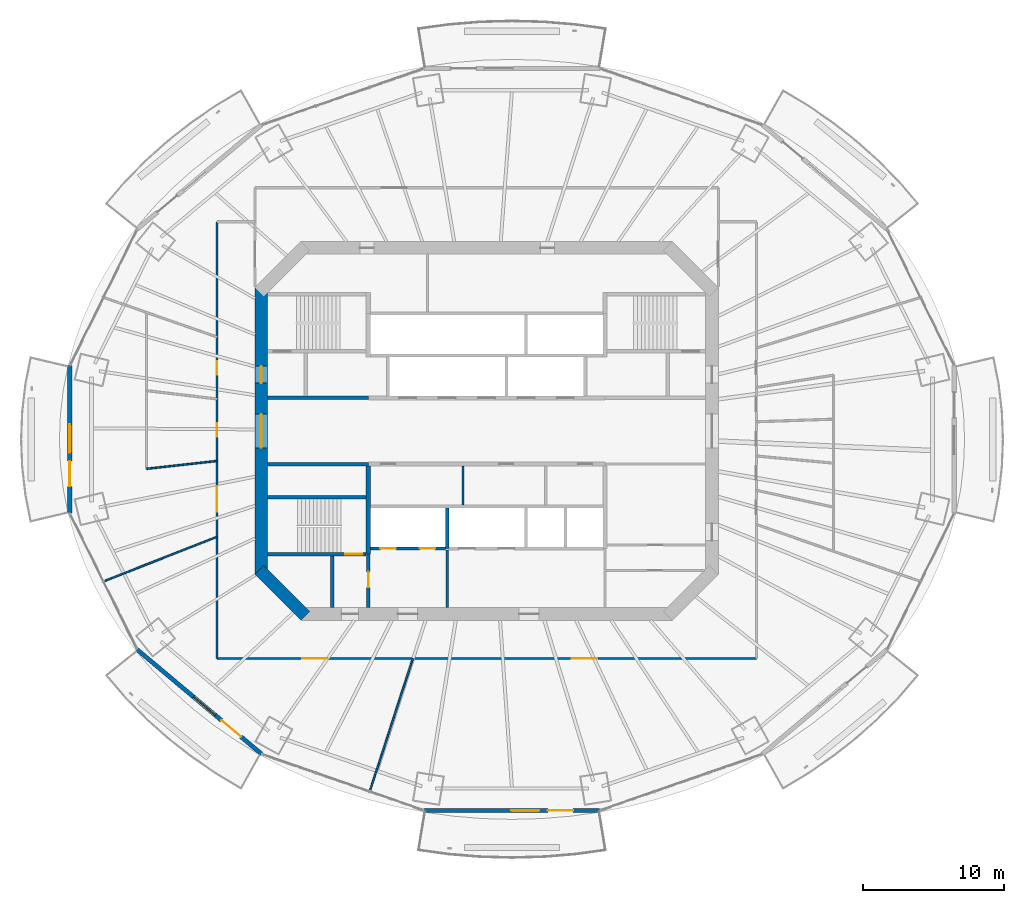
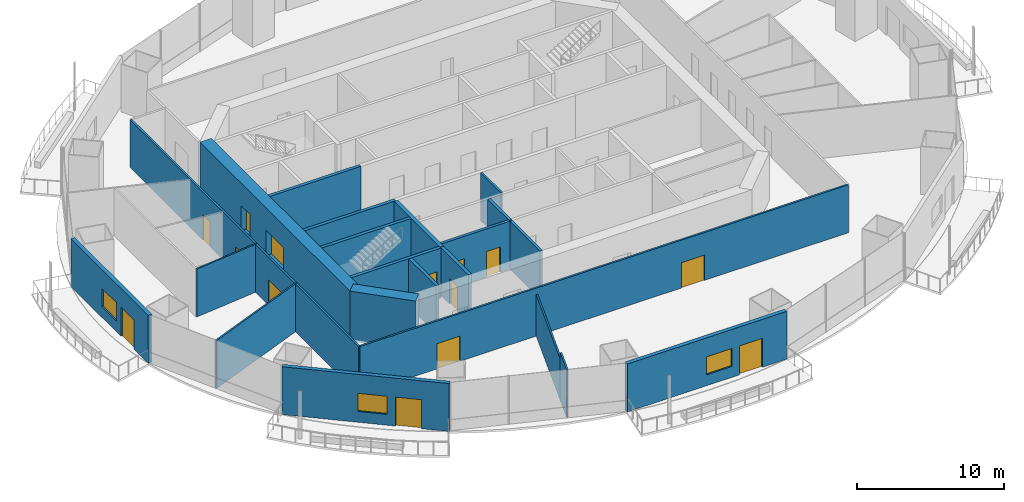
# One storey, part 11 of 20: 22 walls, 14 doors, 3 windows, 17 openings.
"""IFC4 building model written with IfcOpenShell, lengths in metres."""

from ifc_helpers import new_model, si_unit, direction, frame, frame_2d, origin, place, context, subcontext, project, spatial, rectangle, extrude, material, layer, layer_set, type_object, element, fill, save


model = new_model("IFC4")

# Units and contexts
model_context = context("Model", 3, precision=1e-05, world=origin(), true_north=direction((0.0, 1.0)))
body_context = subcontext(model_context, "Body", "Model", "MODEL_VIEW")
ifc_project = project(units=[si_unit("LENGTHUNIT", "METRE"), si_unit("AREAUNIT", "SQUARE_METRE"), si_unit("VOLUMEUNIT", "CUBIC_METRE"), si_unit("PLANEANGLEUNIT", "RADIAN"), si_unit("MASSUNIT", "GRAM", prefix="KILO")], contexts=[model_context])

# Site, building, storey
site_placement = place(None, origin())
site = spatial("IfcSite", under=ifc_project, at=site_placement, CompositionType="ELEMENT")
building_placement = place(site_placement, origin())
building = spatial("IfcBuilding", under=site, at=building_placement, Name="Marenthal Gate Tower", CompositionType="ELEMENT")
storey_placement = place(building_placement, frame((0.0, 0.0, 194.25)))
storey = spatial("IfcBuildingStorey", under=building, at=storey_placement, Name="L42", CompositionType="ELEMENT", Elevation=194.25)

# Wall, openings, doors
ifc_material_1 = material(Name="Concrete 60 MPa", Category="concrete")
ifc_layer_1 = layer(ifc_material_1, 0.89990234375)
ifc_layer_set_1 = layer_set([ifc_layer_1], Name="Core shear wall 900")
wall_type_1 = type_object("IfcWallType", Name="Core shear wall 900", PredefinedType="SHEAR", material=ifc_layer_set_1)
wall_1_placement = place(storey_placement, frame((-16.0, 10.186279296875, -0.179931640625), z_axis=(0.0, 0.0, 1.0), x_axis=(0.0, -1.0, 0.0)))
wall_1 = element("IfcWall", 1, at=wall_1_placement, inside=storey, type_object=wall_type_1, Name="Core wall 06", PredefinedType="SHEAR", context=body_context, shape_type="SweptSolid", body=[
    extrude(rectangle(XDim=20.37255859375, YDim=0.89990234375, at=frame_2d((10.186279296875, 0.0))), origin(), (0.0, 0.0, 1.0), 4.14990234375),
])
opening_1_placement = place(wall_1_placement, frame((8.986328125, 0.0, 0.179931640625)))
opening_1 = element("IfcOpeningElement", 2, at=opening_1_placement, cuts=wall_1, Name="Opening D003.01", PredefinedType="OPENING", context=body_context, shape_type="SweptSolid", body=[
    extrude(rectangle(XDim=2.39990234375, YDim=2.10009765625, at=frame_2d((1.199951171875, 1.050048828125))), frame((0.0, 0.4599609375, 0.0), z_axis=(0.0, -1.0, 0.0), x_axis=(1.0, 0.0, 0.0)), (0.0, 0.0, 1.0), 0.919921875),
])
opening_2_placement = place(wall_1_placement, frame((5.58642578125, 0.0, 0.179931640625)))
opening_2 = element("IfcOpeningElement", 3, at=opening_2_placement, cuts=wall_1, Name="Opening D001.04", PredefinedType="OPENING", context=body_context, shape_type="SweptSolid", body=[
    extrude(rectangle(XDim=1.199951171875, YDim=2.10009765625, at=frame_2d((0.60009765625, 1.050048828125))), frame((0.0, 0.4599609375, 0.0), z_axis=(0.0, -1.0, 0.0), x_axis=(1.0, 0.0, 0.0)), (0.0, 0.0, 1.0), 0.919921875),
])
ifc_material_2 = material(Name="Steel fire door", Category="steel")
door_type_1 = type_object("IfcDoorType", Name="Double fire door FD 45 2400 x 2100", OperationType="DOUBLE_DOOR_SINGLE_SWING", PredefinedType="DOOR", material=ifc_material_2)
door_1_placement = place(opening_1_placement, origin())
door_1 = element("IfcDoor", 4, at=door_1_placement, inside=storey, type_object=door_type_1, Name="Door D003.01", OperationType="DOUBLE_DOOR_SINGLE_SWING", OverallHeight=2.10009765625, OverallWidth=2.39990234375, PredefinedType="DOOR", context=body_context, shape_type="SweptSolid", body=[
    extrude(rectangle(XDim=2.39990234375, YDim=2.10009765625, at=frame_2d((1.199951171875, 1.050048828125))), frame((0.0, 0.02490234375, 0.0), z_axis=(0.0, -1.0, 0.0), x_axis=(1.0, 0.0, 0.0)), (0.0, 0.0, 1.0), 0.050048828125),
])
fill(opening_1, door_1)
ifc_material_3 = material(Name="Steel fire door", Category="steel")
door_type_2 = type_object("IfcDoorType", Name="Fire door FD 90 1200 x 2100", OperationType="NOTDEFINED", PredefinedType="DOOR", material=ifc_material_3)
door_2_placement = place(opening_2_placement, origin())
door_2 = element("IfcDoor", 5, at=door_2_placement, inside=storey, type_object=door_type_2, Name="Door D001.04", OperationType="SINGLE_SWING_RIGHT", OverallHeight=2.10009765625, OverallWidth=1.199951171875, PredefinedType="DOOR", context=body_context, shape_type="SweptSolid", body=[
    extrude(rectangle(XDim=1.199951171875, YDim=2.10009765625, at=frame_2d((0.60009765625, 1.050048828125))), frame((0.0, 0.02490234375, 0.0), z_axis=(0.0, -1.0, 0.0), x_axis=(1.0, 0.0, 0.0)), (0.0, 0.0, 1.0), 0.050048828125),
])
fill(opening_2, door_2)

# Walls
wall_2_placement = place(storey_placement, frame((-16.1318359375, -9.8681640625, -0.179931640625), z_axis=(0.0, 0.0, 1.0), x_axis=(0.707106781187, -0.707106781187, 0.0)))
element("IfcWall", 6, at=wall_2_placement, inside=storey, type_object=wall_type_1, Name="Core wall 07", PredefinedType="SHEAR", context=body_context, shape_type="SweptSolid", body=[
    extrude(rectangle(XDim=4.615478515625, YDim=0.89990234375, at=frame_2d((2.3076171875, 0.0))), origin(), (0.0, 0.0, 1.0), 4.14990234375),
])
ifc_material_4 = material(Name="Gypsum board on steel studs", Category="steel")
ifc_layer_2 = layer(ifc_material_4, 0.199951171875)
ifc_layer_set_2 = layer_set([ifc_layer_2], Name="Fire lobby wall 200")
wall_type_2 = type_object("IfcWallType", Name="Fire lobby wall 200", PredefinedType="PARTITIONING", material=ifc_layer_set_2)
wall_3_placement = place(storey_placement, frame((-2.800048828125, -12.550048828125, 0.0), z_axis=(0.0, 0.0, 1.0), x_axis=(0.0, 1.0, 0.0)))
element("IfcWall", 7, at=wall_3_placement, inside=storey, type_object=wall_type_2, Name="Fire wall 36", PredefinedType="PARTITIONING", context=body_context, shape_type="SweptSolid", body=[
    extrude(rectangle(XDim=4.090087890625, YDim=0.199951171875, at=frame_2d((2.044921875, 0.0))), origin(), (0.0, 0.0, 1.0), 3.969970703125),
])
ifc_material_5 = material(Name="Concrete 50 MPa", Category="concrete")
ifc_layer_3 = layer(ifc_material_5, 0.300048828125)
ifc_layer_set_3 = layer_set([ifc_layer_3], Name="Hoistway shear wall 300")
wall_type_3 = type_object("IfcWallType", Name="Hoistway shear wall 300", PredefinedType="SHEAR", material=ifc_layer_set_3)
wall_4_placement = place(storey_placement, frame((-8.39990234375, -8.75, -0.179931640625), z_axis=(0.0, 0.0, 1.0), x_axis=(0.0, 1.0, 0.0)))
element("IfcWall", 8, at=wall_4_placement, inside=storey, type_object=wall_type_3, Name="Hoistway wall 31", PredefinedType="SHEAR", context=body_context, shape_type="SweptSolid", body=[
    extrude(rectangle(XDim=6.25, YDim=0.300048828125, at=frame_2d((3.125, 0.0))), origin(), (0.0, 0.0, 1.0), 4.14990234375),
])

# Wall, openings, doors
ifc_material_6 = material(Name="Concrete 40 MPa", Category="concrete")
ifc_layer_4 = layer(ifc_material_6, 0.219970703125)
ifc_layer_set_4 = layer_set([ifc_layer_4], Name="Hoistway wall 220")
wall_type_4 = type_object("IfcWallType", Name="Hoistway wall 220", PredefinedType="STANDARD", material=ifc_layer_set_4)
wall_5_placement = place(storey_placement, frame((-8.25, -8.35009765625, 0.0), z_axis=(0.0, 0.0, 1.0), x_axis=(1.0, 0.0, 0.0)))
wall_5 = element("IfcWall", 9, at=wall_5_placement, inside=storey, type_object=wall_type_4, Name="Hoistway wall 11", PredefinedType="STANDARD", context=body_context, shape_type="SweptSolid", body=[
    extrude(rectangle(XDim=5.340087890625, YDim=0.219970703125, at=frame_2d((2.669921875, 0.0))), origin(), (0.0, 0.0, 1.0), 3.969970703125),
])
opening_3_placement = place(wall_5_placement, frame((0.699951171875, 0.0, 0.0)))
opening_3 = element("IfcOpeningElement", 10, at=opening_3_placement, cuts=wall_5, Name="Opening LD-LF1", PredefinedType="OPENING", context=body_context, shape_type="SweptSolid", body=[
    extrude(rectangle(XDim=1.10009765625, YDim=2.10009765625, at=frame_2d((0.550048828125, 1.050048828125))), frame((0.0, 0.1201171875, 0.0), z_axis=(0.0, -1.0, 0.0), x_axis=(1.0, 0.0, 0.0)), (0.0, 0.0, 1.0), 0.239990234375),
])
opening_4_placement = place(wall_5_placement, frame((3.5, 0.0, 0.0)))
opening_4 = element("IfcOpeningElement", 11, at=opening_4_placement, cuts=wall_5, Name="Opening LD-LF2", PredefinedType="OPENING", context=body_context, shape_type="SweptSolid", body=[
    extrude(rectangle(XDim=1.10009765625, YDim=2.10009765625, at=frame_2d((0.550048828125, 1.050048828125))), frame((0.0, 0.1201171875, 0.0), z_axis=(0.0, -1.0, 0.0), x_axis=(1.0, 0.0, 0.0)), (0.0, 0.0, 1.0), 0.239990234375),
])
ifc_material_7 = material(Name="Stainless steel sliding door", Category="steel")
door_type_3 = type_object("IfcDoorType", Name="Lift landing door FD 90 1100 x 2100", OperationType="DOUBLE_DOOR_SLIDING", PredefinedType="DOOR", material=ifc_material_7)
door_3_placement = place(opening_3_placement, origin())
door_3 = element("IfcDoor", 12, at=door_3_placement, inside=storey, type_object=door_type_3, Name="Lift landing door LF1", OperationType="DOUBLE_DOOR_SLIDING", OverallHeight=2.10009765625, OverallWidth=1.10009765625, PredefinedType="DOOR", context=body_context, shape_type="SweptSolid", body=[
    extrude(rectangle(XDim=1.10009765625, YDim=2.10009765625, at=frame_2d((0.550048828125, 1.050048828125))), frame((0.0, 0.02490234375, 0.0), z_axis=(0.0, -1.0, 0.0), x_axis=(1.0, 0.0, 0.0)), (0.0, 0.0, 1.0), 0.050048828125),
])
fill(opening_3, door_3)
door_4_placement = place(opening_4_placement, origin())
door_4 = element("IfcDoor", 13, at=door_4_placement, inside=storey, type_object=door_type_3, Name="Lift landing door LF2", OperationType="DOUBLE_DOOR_SLIDING", OverallHeight=2.10009765625, OverallWidth=1.10009765625, PredefinedType="DOOR", context=body_context, shape_type="SweptSolid", body=[
    extrude(rectangle(XDim=1.10009765625, YDim=2.10009765625, at=frame_2d((0.550048828125, 1.050048828125))), frame((0.0, 0.02490234375, 0.0), z_axis=(0.0, -1.0, 0.0), x_axis=(1.0, 0.0, 0.0)), (0.0, 0.0, 1.0), 0.050048828125),
])
fill(opening_4, door_4)

# Walls
wall_6_placement = place(storey_placement, frame((-2.800048828125, -8.35009765625, 0.0), z_axis=(0.0, 0.0, 1.0), x_axis=(0.0, 1.0, 0.0)))
element("IfcWall", 14, at=wall_6_placement, inside=storey, type_object=wall_type_4, Name="Hoistway wall 37", PredefinedType="STANDARD", context=body_context, shape_type="SweptSolid", body=[
    extrude(rectangle(XDim=2.89013671875, YDim=0.219970703125, at=frame_2d((1.445068359375, 0.0))), origin(), (0.0, 0.0, 1.0), 3.969970703125),
])
ifc_material_8 = material(Name="Gypsum board on steel studs", Category="steel")
ifc_layer_5 = layer(ifc_material_8, 0.1201171875)
ifc_layer_set_5 = layer_set([ifc_layer_5], Name="Partition 120")
wall_type_5 = type_object("IfcWallType", Name="Partition 120", PredefinedType="PARTITIONING", material=ifc_layer_set_5)
wall_7_placement = place(storey_placement, frame((-24.14697265625, -2.6865234375, 0.0), z_axis=(0.0, 0.0, 1.0), x_axis=(0.993868921716, 0.110564761322, 0.0)))
element("IfcWall", 15, at=wall_7_placement, inside=storey, type_object=wall_type_5, Name="Partition wall 50", PredefinedType="PARTITIONING", context=body_context, shape_type="SweptSolid", body=[
    extrude(rectangle(XDim=5.02783203125, YDim=0.1201171875, at=frame_2d((2.513916015625, 0.0))), origin(), (0.0, 0.0, 1.0), 3.969970703125),
])
wall_8_placement = place(storey_placement, frame((-19.14990234375, -7.517822265625, 0.0), z_axis=(0.0, 0.0, 1.0), x_axis=(-0.930851190322, -0.365398496816, 0.0)))
element("IfcWall", 16, at=wall_8_placement, inside=storey, type_object=wall_type_5, Name="Partition wall 54", PredefinedType="PARTITIONING", context=body_context, shape_type="SweptSolid", body=[
    extrude(rectangle(XDim=8.658447265625, YDim=0.1201171875, at=frame_2d((4.3291015625, 0.0))), origin(), (0.0, 0.0, 1.0), 3.969970703125),
])
wall_9_placement = place(storey_placement, frame((-5.236572265625, -16.14990234375, 0.0), z_axis=(0.0, 0.0, 1.0), x_axis=(-0.308434458962, -0.951245596324, 0.0)))
element("IfcWall", 17, at=wall_9_placement, inside=storey, type_object=wall_type_5, Name="Partition wall 59", PredefinedType="PARTITIONING", context=body_context, shape_type="SweptSolid", body=[
    extrude(rectangle(XDim=7.9052734375, YDim=0.1201171875, at=frame_2d((3.95263671875, 0.0))), origin(), (0.0, 0.0, 1.0), 3.43408203125),
])
wall_10_placement = place(storey_placement, frame((-7.6748046875, -23.669677734375, 0.0), z_axis=(0.0, 0.0, 1.0), x_axis=(-0.308331524529, -0.951278965909, 0.0)))
element("IfcWall", 18, at=wall_10_placement, inside=storey, type_object=wall_type_5, Name="Partition wall 71", PredefinedType="PARTITIONING", context=body_context, shape_type="SweptSolid", body=[
    extrude(rectangle(XDim=2.0341796875, YDim=0.1201171875, at=frame_2d((1.01708984375, 0.0))), origin(), (0.0, 0.0, 1.0), 3.969970703125),
])
ifc_material_9 = material(Name="Gypsum board on steel studs", Category="steel")
ifc_layer_6 = layer(ifc_material_9, 0.14990234375)
ifc_layer_set_6 = layer_set([ifc_layer_6], Name="Partition 150")
wall_type_6 = type_object("IfcWallType", Name="Partition 150", PredefinedType="PARTITIONING", material=ifc_layer_set_6)
wall_11_placement = place(storey_placement, frame((-1.679931640625, -5.239990234375, 0.0), z_axis=(0.0, 0.0, 1.0), x_axis=(0.0, 1.0, 0.0)))
element("IfcWall", 19, at=wall_11_placement, inside=storey, type_object=wall_type_6, Name="Partition wall 38", PredefinedType="PARTITIONING", context=body_context, shape_type="SweptSolid", body=[
    extrude(rectangle(XDim=2.739990234375, YDim=0.14990234375, at=frame_2d((1.3701171875, 0.0))), origin(), (0.0, 0.0, 1.0), 3.969970703125),
])

# Wall, openings, doors
wall_12_placement = place(storey_placement, frame((-19.14990234375, -16.14990234375, 0.0), z_axis=(0.0, 0.0, 1.0), x_axis=(0.0, 1.0, 0.0)))
wall_12 = element("IfcWall", 20, at=wall_12_placement, inside=storey, type_object=wall_type_6, Name="Partition wall 53", PredefinedType="PARTITIONING", context=body_context, shape_type="SweptSolid", body=[
    extrude(rectangle(XDim=31.003662109375, YDim=0.14990234375, at=frame_2d((15.501953125, 0.0))), origin(), (0.0, 0.0, 1.0), 3.969970703125),
])
opening_5_placement = place(wall_12_placement, frame((20.14697265625, 0.0, 0.0)))
opening_5 = element("IfcOpeningElement", 21, at=opening_5_placement, cuts=wall_12, Name="Opening D016.01", PredefinedType="OPENING", context=body_context, shape_type="SweptSolid", body=[
    extrude(rectangle(XDim=0.949951171875, YDim=2.10009765625, at=frame_2d((0.47509765625, 1.050048828125))), frame((0.0, 0.0849609375, 0.0), z_axis=(0.0, -1.0, 0.0), x_axis=(1.0, 0.0, 0.0)), (0.0, 0.0, 1.0), 0.169921875),
])
opening_6_placement = place(wall_12_placement, frame((15.7451171875, 0.0, 0.0)))
opening_6 = element("IfcOpeningElement", 22, at=opening_6_placement, cuts=wall_12, Name="Opening D016.02", PredefinedType="OPENING", context=body_context, shape_type="SweptSolid", body=[
    extrude(rectangle(XDim=0.949951171875, YDim=2.10009765625, at=frame_2d((0.47509765625, 1.050048828125))), frame((0.0, 0.0849609375, 0.0), z_axis=(0.0, -1.0, 0.0), x_axis=(1.0, 0.0, 0.0)), (0.0, 0.0, 1.0), 0.169921875),
])
opening_7_placement = place(wall_12_placement, frame((10.425048828125, 0.0, 0.0)))
opening_7 = element("IfcOpeningElement", 23, at=opening_7_placement, cuts=wall_12, Name="Opening D014.02", PredefinedType="OPENING", context=body_context, shape_type="SweptSolid", body=[
    extrude(rectangle(XDim=1.800048828125, YDim=2.10009765625, at=frame_2d((0.89990234375, 1.050048828125))), frame((0.0, 0.0849609375, 0.0), z_axis=(0.0, -1.0, 0.0), x_axis=(1.0, 0.0, 0.0)), (0.0, 0.0, 1.0), 0.169921875),
])
ifc_material_10 = material(Name="Timber door", Category="wood")
door_type_4 = type_object("IfcDoorType", Name="Door 950 x 2100", OperationType="NOTDEFINED", PredefinedType="DOOR", material=ifc_material_10)
door_5_placement = place(opening_5_placement, origin())
door_5 = element("IfcDoor", 24, at=door_5_placement, inside=storey, type_object=door_type_4, Name="Door D016.01", OperationType="SINGLE_SWING_RIGHT", OverallHeight=2.10009765625, OverallWidth=0.949951171875, PredefinedType="DOOR", context=body_context, shape_type="SweptSolid", body=[
    extrude(rectangle(XDim=0.949951171875, YDim=2.10009765625, at=frame_2d((0.47509765625, 1.050048828125))), frame((0.0, 0.02490234375, 0.0), z_axis=(0.0, -1.0, 0.0), x_axis=(1.0, 0.0, 0.0)), (0.0, 0.0, 1.0), 0.050048828125),
])
fill(opening_5, door_5)
door_6_placement = place(opening_6_placement, origin())
door_6 = element("IfcDoor", 25, at=door_6_placement, inside=storey, type_object=door_type_4, Name="Door D016.02", OperationType="SINGLE_SWING_RIGHT", OverallHeight=2.10009765625, OverallWidth=0.949951171875, PredefinedType="DOOR", context=body_context, shape_type="SweptSolid", body=[
    extrude(rectangle(XDim=0.949951171875, YDim=2.10009765625, at=frame_2d((0.47509765625, 1.050048828125))), frame((0.0, 0.02490234375, 0.0), z_axis=(0.0, -1.0, 0.0), x_axis=(1.0, 0.0, 0.0)), (0.0, 0.0, 1.0), 0.050048828125),
])
fill(opening_6, door_6)
ifc_material_11 = material(Name="Timber door", Category="wood")
door_type_5 = type_object("IfcDoorType", Name="Double door 1800 x 2100", OperationType="DOUBLE_DOOR_SINGLE_SWING", PredefinedType="DOOR", material=ifc_material_11)
door_7_placement = place(opening_7_placement, origin())
door_7 = element("IfcDoor", 26, at=door_7_placement, inside=storey, type_object=door_type_5, Name="Door D014.02", OperationType="DOUBLE_DOOR_SINGLE_SWING", OverallHeight=2.10009765625, OverallWidth=1.800048828125, PredefinedType="DOOR", context=body_context, shape_type="SweptSolid", body=[
    extrude(rectangle(XDim=1.800048828125, YDim=2.10009765625, at=frame_2d((0.89990234375, 1.050048828125))), frame((0.0, 0.02490234375, 0.0), z_axis=(0.0, -1.0, 0.0), x_axis=(1.0, 0.0, 0.0)), (0.0, 0.0, 1.0), 0.050048828125),
])
fill(opening_7, door_7)

wall_13_placement = place(storey_placement, frame((19.14990234375, -16.14990234375, 0.0), z_axis=(0.0, 0.0, 1.0), x_axis=(-1.0, 0.0, 0.0)))
wall_13 = element("IfcWall", 27, at=wall_13_placement, inside=storey, type_object=wall_type_6, Name="Partition wall 62", PredefinedType="PARTITIONING", context=body_context, shape_type="SweptSolid", body=[
    extrude(rectangle(XDim=38.2998046875, YDim=0.14990234375, at=frame_2d((19.14990234375, 0.0))), origin(), (0.0, 0.0, 1.0), 3.969970703125),
])
opening_8_placement = place(wall_13_placement, frame((30.443115234375, 0.0, 0.0)))
opening_8 = element("IfcOpeningElement", 28, at=opening_8_placement, cuts=wall_13, Name="Opening D014.03", PredefinedType="OPENING", context=body_context, shape_type="SweptSolid", body=[
    extrude(rectangle(XDim=1.800048828125, YDim=2.10009765625, at=frame_2d((0.89990234375, 1.050048828125))), frame((0.0, 0.0849609375, 0.0), z_axis=(0.0, -1.0, 0.0), x_axis=(1.0, 0.0, 0.0)), (0.0, 0.0, 1.0), 0.169921875),
])
opening_9_placement = place(wall_13_placement, frame((11.29296875, 0.0, 0.0)))
opening_9 = element("IfcOpeningElement", 29, at=opening_9_placement, cuts=wall_13, Name="Opening D014.04", PredefinedType="OPENING", context=body_context, shape_type="SweptSolid", body=[
    extrude(rectangle(XDim=1.800048828125, YDim=2.10009765625, at=frame_2d((0.89990234375, 1.050048828125))), frame((0.0, 0.0849609375, 0.0), z_axis=(0.0, -1.0, 0.0), x_axis=(1.0, 0.0, 0.0)), (0.0, 0.0, 1.0), 0.169921875),
])
door_8_placement = place(opening_8_placement, origin())
door_8 = element("IfcDoor", 30, at=door_8_placement, inside=storey, type_object=door_type_5, Name="Door D014.03", OperationType="DOUBLE_DOOR_SINGLE_SWING", OverallHeight=2.10009765625, OverallWidth=1.800048828125, PredefinedType="DOOR", context=body_context, shape_type="SweptSolid", body=[
    extrude(rectangle(XDim=1.800048828125, YDim=2.10009765625, at=frame_2d((0.89990234375, 1.050048828125))), frame((0.0, 0.02490234375, 0.0), z_axis=(0.0, -1.0, 0.0), x_axis=(1.0, 0.0, 0.0)), (0.0, 0.0, 1.0), 0.050048828125),
])
fill(opening_8, door_8)
door_9_placement = place(opening_9_placement, origin())
door_9 = element("IfcDoor", 31, at=door_9_placement, inside=storey, type_object=door_type_5, Name="Door D014.04", OperationType="DOUBLE_DOOR_SINGLE_SWING", OverallHeight=2.10009765625, OverallWidth=1.800048828125, PredefinedType="DOOR", context=body_context, shape_type="SweptSolid", body=[
    extrude(rectangle(XDim=1.800048828125, YDim=2.10009765625, at=frame_2d((0.89990234375, 1.050048828125))), frame((0.0, 0.02490234375, 0.0), z_axis=(0.0, -1.0, 0.0), x_axis=(1.0, 0.0, 0.0)), (0.0, 0.0, 1.0), 0.050048828125),
])
fill(opening_9, door_9)

# Walls
ifc_material_12 = material(Name="Concrete 40 MPa", Category="concrete")
ifc_layer_7 = layer(ifc_material_12, 0.25)
ifc_layer_set_7 = layer_set([ifc_layer_7], Name="Stair enclosure wall 250")
wall_type_7 = type_object("IfcWallType", Name="Stair enclosure wall 250", PredefinedType="STANDARD", material=ifc_layer_set_7)
for number, where, z_axis, x_axis, name in (
    (32, (-15.550048828125, -2.35009765625, 0.0), (0.0, 0.0, 1.0), (1.0, 0.0, 0.0), "Stair wall 16"),
    (33, (-15.550048828125, 2.35009765625, 0.0), (0.0, 0.0, 1.0), (1.0, 0.0, 0.0), "Stair wall 19"),
):
    element("IfcWall", number, at=place(storey_placement, frame(where, z_axis=z_axis, x_axis=x_axis)), inside=storey, type_object=wall_type_7, Name=name, PredefinedType="STANDARD", context=body_context, shape_type="SweptSolid", body=[
        extrude(rectangle(XDim=7.150146484375, YDim=0.25, at=frame_2d((3.5751953125, 0.0))), origin(), (0.0, 0.0, 1.0), 3.969970703125),
    ])
wall_14_placement = place(storey_placement, frame((-10.949951171875, -12.550048828125, 0.0), z_axis=(0.0, 0.0, 1.0), x_axis=(0.0, 1.0, 0.0)))
element("IfcWall", 34, at=wall_14_placement, inside=storey, type_object=wall_type_7, Name="Stair wall 29", PredefinedType="STANDARD", context=body_context, shape_type="SweptSolid", body=[
    extrude(rectangle(XDim=3.675048828125, YDim=0.25, at=frame_2d((1.83740234375, 0.0))), origin(), (0.0, 0.0, 1.0), 3.969970703125),
])

# Wall, opening, door
wall_15_placement = place(storey_placement, frame((-8.39990234375, -12.550048828125, 0.0), z_axis=(0.0, 0.0, 1.0), x_axis=(0.0, 1.0, 0.0)))
wall_15 = element("IfcWall", 35, at=wall_15_placement, inside=storey, type_object=wall_type_7, Name="Stair wall 30", PredefinedType="STANDARD", context=body_context, shape_type="SweptSolid", body=[
    extrude(rectangle(XDim=3.800048828125, YDim=0.25, at=frame_2d((1.89990234375, 0.0))), origin(), (0.0, 0.0, 1.0), 3.969970703125),
])
opening_10_placement = place(wall_15_placement, frame((1.449951171875, 0.0, 0.0)))
opening_10 = element("IfcOpeningElement", 36, at=opening_10_placement, cuts=wall_15, Name="Opening D002.01", PredefinedType="OPENING", context=body_context, shape_type="SweptSolid", body=[
    extrude(rectangle(XDim=1.10009765625, YDim=2.10009765625, at=frame_2d((0.550048828125, 1.050048828125))), frame((0.0, 0.135009765625, 0.0), z_axis=(0.0, -1.0, 0.0), x_axis=(1.0, 0.0, 0.0)), (0.0, 0.0, 1.0), 0.27001953125),
])
ifc_material_13 = material(Name="Steel fire door", Category="steel")
door_type_6 = type_object("IfcDoorType", Name="Fire door FD 90 1100 x 2100", OperationType="NOTDEFINED", PredefinedType="DOOR", material=ifc_material_13)
door_10_placement = place(opening_10_placement, origin())
door_10 = element("IfcDoor", 37, at=door_10_placement, inside=storey, type_object=door_type_6, Name="Door D002.01", OperationType="SINGLE_SWING_RIGHT", OverallHeight=2.10009765625, OverallWidth=1.10009765625, PredefinedType="DOOR", context=body_context, shape_type="SweptSolid", body=[
    extrude(rectangle(XDim=1.10009765625, YDim=2.10009765625, at=frame_2d((0.550048828125, 1.050048828125))), frame((0.0, 0.02490234375, 0.0), z_axis=(0.0, -1.0, 0.0), x_axis=(1.0, 0.0, 0.0)), (0.0, 0.0, 1.0), 0.050048828125),
])
fill(opening_10, door_10)

ifc_material_14 = material(Name="Concrete 50 MPa", Category="concrete")
ifc_layer_8 = layer(ifc_material_14, 0.25)
ifc_layer_set_8 = layer_set([ifc_layer_8], Name="Stair shear wall 250")
wall_type_8 = type_object("IfcWallType", Name="Stair shear wall 250", PredefinedType="SHEAR", material=ifc_layer_set_8)
wall_16_placement = place(storey_placement, frame((-15.550048828125, -8.75, -0.179931640625), z_axis=(0.0, 0.0, 1.0), x_axis=(1.0, 0.0, 0.0)))
wall_16 = element("IfcWall", 38, at=wall_16_placement, inside=storey, type_object=wall_type_8, Name="Stair wall 10", PredefinedType="SHEAR", context=body_context, shape_type="SweptSolid", body=[
    extrude(rectangle(XDim=7.0, YDim=0.25, at=frame_2d((3.5, 0.0))), origin(), (0.0, 0.0, 1.0), 4.14990234375),
])
opening_11_placement = place(wall_16_placement, frame((5.5, 0.0, 0.179931640625)))
opening_11 = element("IfcOpeningElement", 39, at=opening_11_placement, cuts=wall_16, Name="Opening D001.03", PredefinedType="OPENING", context=body_context, shape_type="SweptSolid", body=[
    extrude(rectangle(XDim=1.199951171875, YDim=2.10009765625, at=frame_2d((0.60009765625, 1.050048828125))), frame((0.0, 0.135009765625, 0.0), z_axis=(0.0, -1.0, 0.0), x_axis=(1.0, 0.0, 0.0)), (0.0, 0.0, 1.0), 0.27001953125),
])
door_11_placement = place(opening_11_placement, origin())
door_11 = element("IfcDoor", 40, at=door_11_placement, inside=storey, type_object=door_type_2, Name="Door D001.03", OperationType="SINGLE_SWING_RIGHT", OverallHeight=2.10009765625, OverallWidth=1.199951171875, PredefinedType="DOOR", context=body_context, shape_type="SweptSolid", body=[
    extrude(rectangle(XDim=1.199951171875, YDim=2.10009765625, at=frame_2d((0.60009765625, 1.050048828125))), frame((0.0, 0.02490234375, 0.0), z_axis=(0.0, -1.0, 0.0), x_axis=(1.0, 0.0, 0.0)), (0.0, 0.0, 1.0), 0.050048828125),
])
fill(opening_11, door_11)

# Wall
wall_17_placement = place(storey_placement, frame((-15.550048828125, -4.699951171875, -0.179931640625), z_axis=(0.0, 0.0, 1.0), x_axis=(1.0, 0.0, 0.0)))
element("IfcWall", 41, at=wall_17_placement, inside=storey, type_object=wall_type_8, Name="Stair wall 15", PredefinedType="SHEAR", context=body_context, shape_type="SweptSolid", body=[
    extrude(rectangle(XDim=7.0, YDim=0.25, at=frame_2d((3.5, 0.0))), origin(), (0.0, 0.0, 1.0), 4.14990234375),
])

# Wall, openings, door, window
ifc_material_15 = material(Name="Terracotta cladding on insulated concrete-block backing", Category="masonry")
ifc_layer_9 = layer(ifc_material_15, 0.300048828125)
ifc_layer_set_9 = layer_set([ifc_layer_9], Name="Terracotta facade wall 300")
wall_type_9 = type_object("IfcWallType", Name="Terracotta facade wall 300", PredefinedType="SOLIDWALL", material=ifc_layer_set_9)
wall_18_placement = place(storey_placement, frame((-29.599853515625, 4.640380859375, 0.0), z_axis=(0.0, 0.0, 1.0), x_axis=(0.0, -1.0, 0.0)))
wall_18 = element("IfcWall", 42, at=wall_18_placement, inside=storey, type_object=wall_type_9, Name="Terracotta facade wall L42 bay 8", PredefinedType="SOLIDWALL", context=body_context, shape_type="SweptSolid", body=[
    extrude(rectangle(XDim=10.480712890625, YDim=0.300048828125, at=frame_2d((5.240234375, 0.0))), origin(), (0.0, 0.0, 1.0), 3.969970703125),
])
opening_12_placement = place(wall_18_placement, frame((6.780517578125, 0.0, 0.0)))
opening_12 = element("IfcOpeningElement", 43, at=opening_12_placement, cuts=wall_18, Name="Opening BD-L42-08", PredefinedType="OPENING", context=body_context, shape_type="SweptSolid", body=[
    extrude(rectangle(XDim=1.800048828125, YDim=2.39990234375, at=frame_2d((0.89990234375, 1.199951171875))), frame((0.0, 0.16015625, 0.0), z_axis=(0.0, -1.0, 0.0), x_axis=(1.0, 0.0, 0.0)), (0.0, 0.0, 1.0), 0.320068359375),
])
opening_13_placement = place(wall_18_placement, frame((4.1806640625, 0.0, 0.89990234375)))
opening_13 = element("IfcOpeningElement", 44, at=opening_13_placement, cuts=wall_18, Name="Opening WN2-L42-08", PredefinedType="OPENING", context=body_context, shape_type="SweptSolid", body=[
    extrude(rectangle(XDim=2.0, YDim=1.5, at=frame_2d((1.0, 0.75))), frame((0.0, 0.16015625, 0.0), z_axis=(0.0, -1.0, 0.0), x_axis=(1.0, 0.0, 0.0)), (0.0, 0.0, 1.0), 0.320068359375),
])
ifc_material_16 = material(Name="Aluminium and glass", Category="aluminium")
door_type_7 = type_object("IfcDoorType", Name="Balcony door 1800x2400", OperationType="DOUBLE_DOOR_SINGLE_SWING", PredefinedType="DOOR", material=ifc_material_16)
door_12_placement = place(opening_12_placement, origin())
door_12 = element("IfcDoor", 45, at=door_12_placement, inside=storey, type_object=door_type_7, Name="Balcony door L42 bay 8", OperationType="SINGLE_SWING_LEFT", OverallHeight=2.39990234375, OverallWidth=1.800048828125, PredefinedType="DOOR", context=body_context, shape_type="SweptSolid", body=[
    extrude(rectangle(XDim=1.800048828125, YDim=2.39990234375, at=frame_2d((0.89990234375, 1.199951171875))), frame((0.0, 0.02490234375, 0.0), z_axis=(0.0, -1.0, 0.0), x_axis=(1.0, 0.0, 0.0)), (0.0, 0.0, 1.0), 0.050048828125),
])
fill(opening_12, door_12)
ifc_material_17 = material(Name="Aluminium and glass", Category="aluminium")
window_type = type_object("IfcWindowType", Name="Window 2000x1500", PartitioningType="DOUBLE_PANEL_VERTICAL", PredefinedType="WINDOW", material=ifc_material_17)
window_1_placement = place(opening_13_placement, origin())
window_1 = element("IfcWindow", 46, at=window_1_placement, inside=storey, type_object=window_type, Name="Window L42 bay 8", OverallHeight=1.5, OverallWidth=2.0, PartitioningType="SINGLE_PANEL", PredefinedType="WINDOW", context=body_context, shape_type="SweptSolid", body=[
    extrude(rectangle(XDim=2.0, YDim=1.5, at=frame_2d((1.0, 0.75))), frame((0.0, 0.030029296875, 0.0), z_axis=(0.0, -1.0, 0.0), x_axis=(1.0, 0.0, 0.0)), (0.0, 0.0, 1.0), 0.06005859375),
])
fill(opening_13, window_1)

wall_19_placement = place(storey_placement, frame((-24.819580078125, -15.523193359375, 0.0), z_axis=(0.0, 0.0, 1.0), x_axis=(0.766082233378, -0.642742570321, 0.0)))
wall_19 = element("IfcWall", 47, at=wall_19_placement, inside=storey, type_object=wall_type_9, Name="Terracotta facade wall L42 bay 10", PredefinedType="SOLIDWALL", context=body_context, shape_type="SweptSolid", body=[
    extrude(rectangle(XDim=11.530029296875, YDim=0.300048828125, at=frame_2d((5.76513671875, 0.0))), origin(), (0.0, 0.0, 1.0), 3.969970703125),
])
opening_14_placement = place(wall_19_placement, frame((7.830078125, 0.0, 0.0)))
opening_14 = element("IfcOpeningElement", 48, at=opening_14_placement, cuts=wall_19, Name="Opening BD-L42-10", PredefinedType="OPENING", context=body_context, shape_type="SweptSolid", body=[
    extrude(rectangle(XDim=1.800048828125, YDim=2.39990234375, at=frame_2d((0.89990234375, 1.199951171875))), frame((0.0, 0.16015625, 0.0), z_axis=(0.0, -1.0, 0.0), x_axis=(1.0, 0.0, 0.0)), (0.0, 0.0, 1.0), 0.320068359375),
])
opening_15_placement = place(wall_19_placement, frame((5.22998046875, 0.0, 0.89990234375)))
opening_15 = element("IfcOpeningElement", 49, at=opening_15_placement, cuts=wall_19, Name="Opening WN2-L42-10", PredefinedType="OPENING", context=body_context, shape_type="SweptSolid", body=[
    extrude(rectangle(XDim=2.0, YDim=1.5, at=frame_2d((1.0, 0.75))), frame((0.0, 0.16015625, 0.0), z_axis=(0.0, -1.0, 0.0), x_axis=(1.0, 0.0, 0.0)), (0.0, 0.0, 1.0), 0.320068359375),
])
door_13_placement = place(opening_14_placement, origin())
door_13 = element("IfcDoor", 50, at=door_13_placement, inside=storey, type_object=door_type_7, Name="Balcony door L42 bay 10", OperationType="SINGLE_SWING_LEFT", OverallHeight=2.39990234375, OverallWidth=1.800048828125, PredefinedType="DOOR", context=body_context, shape_type="SweptSolid", body=[
    extrude(rectangle(XDim=1.800048828125, YDim=2.39990234375, at=frame_2d((0.89990234375, 1.199951171875))), frame((0.0, 0.02490234375, 0.0), z_axis=(0.0, -1.0, 0.0), x_axis=(1.0, 0.0, 0.0)), (0.0, 0.0, 1.0), 0.050048828125),
])
fill(opening_14, door_13)
window_2_placement = place(opening_15_placement, origin())
window_2 = element("IfcWindow", 51, at=window_2_placement, inside=storey, type_object=window_type, Name="Window L42 bay 10", OverallHeight=1.5, OverallWidth=2.0, PartitioningType="SINGLE_PANEL", PredefinedType="WINDOW", context=body_context, shape_type="SweptSolid", body=[
    extrude(rectangle(XDim=2.0, YDim=1.5, at=frame_2d((1.0, 0.75))), frame((0.0, 0.030029296875, 0.0), z_axis=(0.0, -1.0, 0.0), x_axis=(1.0, 0.0, 0.0)), (0.0, 0.0, 1.0), 0.06005859375),
])
fill(opening_15, window_2)

wall_20_placement = place(storey_placement, frame((-4.44580078125, -26.94482421875, 0.0), z_axis=(0.0, 0.0, 1.0), x_axis=(1.0, 0.0, 0.0)))
wall_20 = element("IfcWall", 52, at=wall_20_placement, inside=storey, type_object=wall_type_9, Name="Terracotta facade wall L42 bay 12", PredefinedType="SOLIDWALL", context=body_context, shape_type="SweptSolid", body=[
    extrude(rectangle(XDim=12.49169921875, YDim=0.300048828125, at=frame_2d((6.245849609375, 0.0))), origin(), (0.0, 0.0, 1.0), 3.969970703125),
])
opening_16_placement = place(wall_20_placement, frame((8.79150390625, 0.0, 0.0)))
opening_16 = element("IfcOpeningElement", 53, at=opening_16_placement, cuts=wall_20, Name="Opening BD-L42-12", PredefinedType="OPENING", context=body_context, shape_type="SweptSolid", body=[
    extrude(rectangle(XDim=1.800048828125, YDim=2.39990234375, at=frame_2d((0.89990234375, 1.199951171875))), frame((0.0, 0.16015625, 0.0), z_axis=(0.0, -1.0, 0.0), x_axis=(1.0, 0.0, 0.0)), (0.0, 0.0, 1.0), 0.320068359375),
])
opening_17_placement = place(wall_20_placement, frame((6.191650390625, 0.0, 0.89990234375)))
opening_17 = element("IfcOpeningElement", 54, at=opening_17_placement, cuts=wall_20, Name="Opening WN2-L42-12", PredefinedType="OPENING", context=body_context, shape_type="SweptSolid", body=[
    extrude(rectangle(XDim=2.0, YDim=1.5, at=frame_2d((1.0, 0.75))), frame((0.0, 0.16015625, 0.0), z_axis=(0.0, -1.0, 0.0), x_axis=(1.0, 0.0, 0.0)), (0.0, 0.0, 1.0), 0.320068359375),
])
door_14_placement = place(opening_16_placement, origin())
door_14 = element("IfcDoor", 55, at=door_14_placement, inside=storey, type_object=door_type_7, Name="Balcony door L42 bay 12", OperationType="SINGLE_SWING_LEFT", OverallHeight=2.39990234375, OverallWidth=1.800048828125, PredefinedType="DOOR", context=body_context, shape_type="SweptSolid", body=[
    extrude(rectangle(XDim=1.800048828125, YDim=2.39990234375, at=frame_2d((0.89990234375, 1.199951171875))), frame((0.0, 0.02490234375, 0.0), z_axis=(0.0, -1.0, 0.0), x_axis=(1.0, 0.0, 0.0)), (0.0, 0.0, 1.0), 0.050048828125),
])
fill(opening_16, door_14)
window_3_placement = place(opening_17_placement, origin())
window_3 = element("IfcWindow", 56, at=window_3_placement, inside=storey, type_object=window_type, Name="Window L42 bay 12", OverallHeight=1.5, OverallWidth=2.0, PartitioningType="SINGLE_PANEL", PredefinedType="WINDOW", context=body_context, shape_type="SweptSolid", body=[
    extrude(rectangle(XDim=2.0, YDim=1.5, at=frame_2d((1.0, 0.75))), frame((0.0, 0.030029296875, 0.0), z_axis=(0.0, -1.0, 0.0), x_axis=(1.0, 0.0, 0.0)), (0.0, 0.0, 1.0), 0.06005859375),
])
fill(opening_17, window_3)

save(model, "model.ifc")
